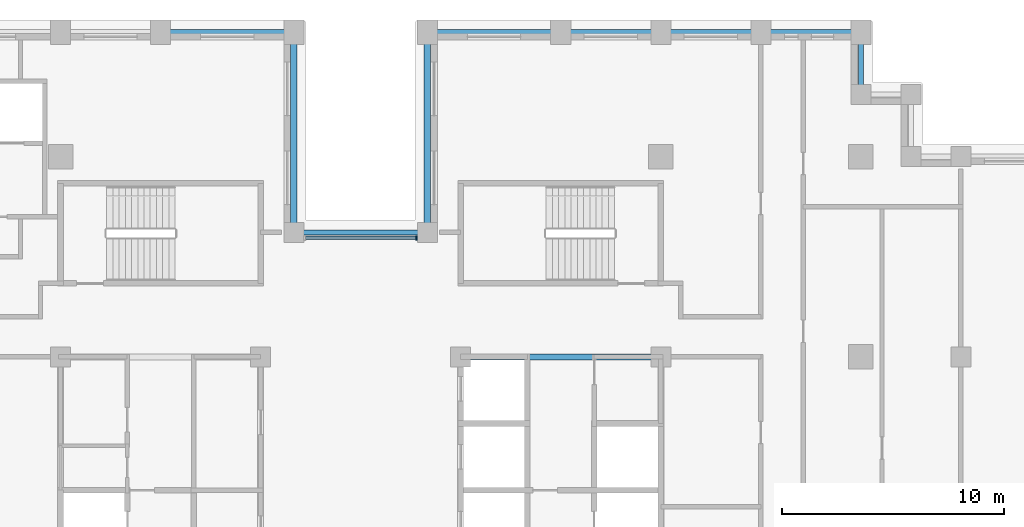
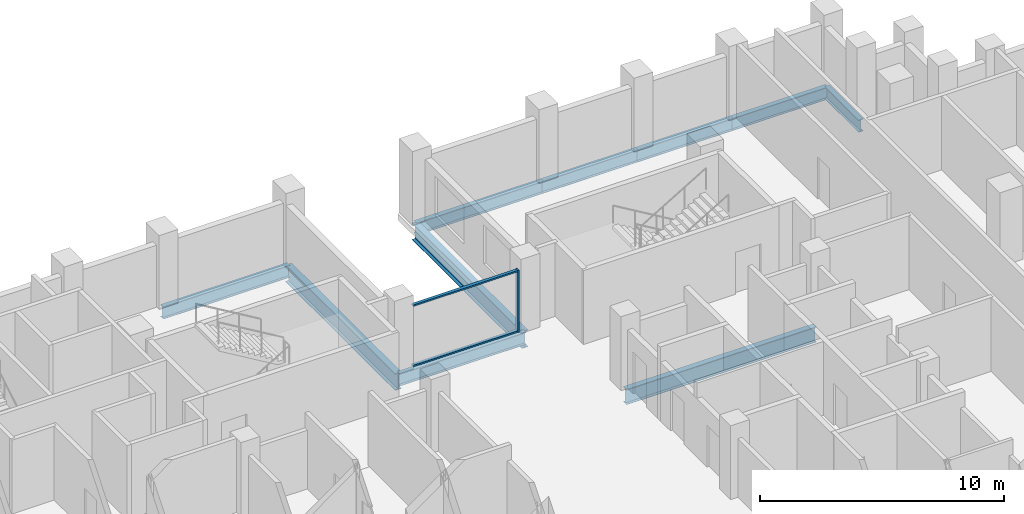
# One storey, part 4 of 16: 10 beams, 3 members, 1 element without a shape of its own.
"""IFC4 building model written with IfcOpenShell, lengths in metres."""

from ifc_helpers import new_model, si_unit, direction, frame, origin, origin_2d, place, context, subcontext, project, spatial, rectangle, i_section, extrude, material, layer, layer_set, material_profile, profile_set, type_object, element, aggregate, save


model = new_model("IFC4")

# Units and contexts
model_context = context("Model", 3, precision=1e-05, world=origin(), true_north=direction((0.0, 1.0)))
body_context = subcontext(model_context, "Body", "Model", "MODEL_VIEW")
ifc_project = project(units=[si_unit("LENGTHUNIT", "METRE"), si_unit("AREAUNIT", "SQUARE_METRE"), si_unit("VOLUMEUNIT", "CUBIC_METRE"), si_unit("PLANEANGLEUNIT", "RADIAN"), si_unit("MASSUNIT", "GRAM", prefix="KILO")], contexts=[model_context])

# Site, building, storey
site_placement = place(None, origin())
site = spatial("IfcSite", under=ifc_project, at=site_placement, CompositionType="ELEMENT")
building_placement = place(site_placement, origin())
building = spatial("IfcBuilding", under=site, at=building_placement, Name="Corbelhall Arena Tower", CompositionType="ELEMENT")
storey_placement = place(building_placement, frame((0.0, 0.0, 154.0)))
storey = spatial("IfcBuildingStorey", under=building, at=storey_placement, Name="L30", CompositionType="ELEMENT", Elevation=154.0)

# Curtain wall, members
ifc_material_1 = material(Name="Aluminium black anodised", Category="aluminium")
ifc_layer = layer(ifc_material_1, 0.199951171875)
ifc_layer_set = layer_set([ifc_layer], Name="EV-CW1 Slot back wall")
curtain_wall_type = type_object("IfcCurtainWallType", Name="EV-CW1 Slot back wall", PredefinedType="NOTDEFINED", material=ifc_layer_set)
curtain_wall_placement = place(storey_placement, origin())
curtain_wall = element("IfcCurtainWall", 1, at=curtain_wall_placement, inside=storey, type_object=curtain_wall_type, Name="Curtain wall CW1", PredefinedType="NOTDEFINED")
ifc_material_profile_1 = material_profile(ifc_material_1, rectangle(XDim=0.199951171875, YDim=0.074951171875, at=origin_2d()))
ifc_profile_set_1 = profile_set([ifc_material_profile_1], Name="Aluminium black anodised")
member_type_1 = type_object("IfcMemberType", Name="EV-CW1-MULLION", PredefinedType="MULLION", material=ifc_profile_set_1)
member_1_placement = place(storey_placement, frame((2.512451171875, 14.35009765625, 0.0), z_axis=(0.0, 0.0, 1.0), x_axis=(0.0, -1.0, 0.0)))
member_1 = element("IfcMember", 2, at=member_1_placement, type_object=member_type_1, Name="CW1 mullion 1", PredefinedType="MULLION", context=body_context, shape_type="SweptSolid", body=[
    extrude(rectangle(XDim=0.199951171875, YDim=0.074951171875, at=origin_2d()), origin(), (0.0, 0.0, 1.0), 3.10009765625),
])
ifc_material_profile_2 = material_profile(ifc_material_1, rectangle(XDim=0.14990234375, YDim=0.074951171875, at=origin_2d()))
ifc_profile_set_2 = profile_set([ifc_material_profile_2], Name="Aluminium black anodised")
member_type_2 = type_object("IfcMemberType", Name="EV-CW1-TRANSOM", PredefinedType="USERDEFINED", material=ifc_profile_set_2)
member_2_placement = place(storey_placement, frame((2.47509765625, 14.35009765625, 0.03759765625), z_axis=(-1.0, 0.0, 0.0), x_axis=(0.0, -1.0, 0.0)))
member_2 = element("IfcMember", 3, at=member_2_placement, type_object=member_type_2, Name="CW1 transom 1.1", ObjectType="transom", PredefinedType="USERDEFINED", context=body_context, shape_type="SweptSolid", body=[
    extrude(rectangle(XDim=0.14990234375, YDim=0.074951171875, at=origin_2d()), origin(), (0.0, 0.0, 1.0), 4.9501953125),
])
member_3_placement = place(storey_placement, frame((2.47509765625, 14.35009765625, 3.0625), z_axis=(-1.0, 0.0, 0.0), x_axis=(0.0, -1.0, 0.0)))
member_3 = element("IfcMember", 4, at=member_3_placement, type_object=member_type_2, Name="CW1 transom 1.2", ObjectType="transom", PredefinedType="USERDEFINED", context=body_context, shape_type="SweptSolid", body=[
    extrude(rectangle(XDim=0.14990234375, YDim=0.074951171875, at=origin_2d()), origin(), (0.0, 0.0, 1.0), 4.9501953125),
])
aggregate(curtain_wall, [member_1, member_2, member_3])

# Beams
ifc_material_2 = material(Name="Steel ASTM A992 Gr50", Category="steel")
ifc_material_profile_3 = material_profile(ifc_material_2, i_section(OverallWidth=0.2666015625, OverallDepth=0.761962890625, WebThickness=0.014404296875, FlangeThickness=0.021484375, at=origin_2d()))
ifc_profile_set_3 = profile_set([ifc_material_profile_3], Name="Steel ASTM A992 Gr50")
beam_type_1 = type_object("IfcBeamType", Name="ST-BEAM-W30x116", PredefinedType="BEAM", material=ifc_profile_set_3)
beam_1_placement = place(storey_placement, frame((4.5, 9.0, -0.680908203125), z_axis=(1.0, 0.0, 0.0), x_axis=(0.0, 1.0, 0.0)))
element("IfcBeam", 5, at=beam_1_placement, inside=storey, type_object=beam_type_1, Name="Beam CEE 12", PredefinedType="BEAM", context=body_context, shape_type="SweptSolid", body=[
    extrude(i_section(OverallWidth=0.2666015625, OverallDepth=0.761962890625, WebThickness=0.014404296875, FlangeThickness=0.021484375, at=origin_2d()), origin(), (0.0, 0.0, 1.0), 9.0),
])
ifc_material_profile_4 = material_profile(ifc_material_2, i_section(OverallWidth=0.22900390625, OverallDepth=0.612060546875, WebThickness=0.011962890625, FlangeThickness=0.01953125, at=origin_2d()))
ifc_profile_set_4 = profile_set([ifc_material_profile_4], Name="Steel ASTM A992 Gr50")
beam_type_2 = type_object("IfcBeamType", Name="ST-SPANDREL-W24x84", PredefinedType="SPANDREL", material=ifc_profile_set_4)
beam_2_placement = place(storey_placement, frame((3.0, 23.60009765625, -0.60595703125), z_axis=(1.0, 0.0, 0.0), x_axis=(0.0, 1.0, 0.0)))
element("IfcBeam", 6, at=beam_2_placement, inside=storey, type_object=beam_type_2, Name="Beam SP 17", PredefinedType="SPANDREL", context=body_context, shape_type="SweptSolid", body=[
    extrude(i_section(OverallWidth=0.22900390625, OverallDepth=0.612060546875, WebThickness=0.011962890625, FlangeThickness=0.01953125, at=origin_2d()), origin(), (0.0, 0.0, 1.0), 6.0),
])
for number, where, z_axis, x_axis, name in (
    (7, (9.0, 23.60009765625, -0.60595703125), (1.0, 0.0, 0.0), (0.0, 1.0, 0.0), "Beam SP 18"),
    (8, (13.5, 23.60009765625, -0.60595703125), (1.0, 0.0, 0.0), (0.0, 1.0, 0.0), "Beam SP 19"),
    (9, (18.0, 23.60009765625, -0.60595703125), (1.0, 0.0, 0.0), (0.0, 1.0, 0.0), "Beam SP 20"),
):
    element("IfcBeam", number, at=place(storey_placement, frame(where, z_axis=z_axis, x_axis=x_axis)), inside=storey, type_object=beam_type_2, Name=name, PredefinedType="SPANDREL", context=body_context, shape_type="SweptSolid", body=[
        extrude(i_section(OverallWidth=0.22900390625, OverallDepth=0.612060546875, WebThickness=0.011962890625, FlangeThickness=0.01953125, at=origin_2d()), origin(), (0.0, 0.0, 1.0), 4.5),
    ])
beam_3_placement = place(storey_placement, frame((22.5, 23.60009765625, -0.60595703125), z_axis=(0.0, -1.0, 0.0), x_axis=(1.0, 0.0, 0.0)))
element("IfcBeam", 10, at=beam_3_placement, inside=storey, type_object=beam_type_2, Name="Beam SP 21", PredefinedType="SPANDREL", context=body_context, shape_type="SweptSolid", body=[
    extrude(i_section(OverallWidth=0.22900390625, OverallDepth=0.612060546875, WebThickness=0.011962890625, FlangeThickness=0.01953125, at=origin_2d()), origin(), (0.0, 0.0, 1.0), 2.800048828125),
])
for number, where, z_axis, x_axis, name in (
    (11, (-9.0, 23.60009765625, -0.60595703125), (1.0, 0.0, 0.0), (0.0, 1.0, 0.0), "Beam SP 23"),
    (12, (-3.0, 14.60009765625, -0.60595703125), (1.0, 0.0, 0.0), (0.0, 1.0, 0.0), "Beam SP 40"),
):
    element("IfcBeam", number, at=place(storey_placement, frame(where, z_axis=z_axis, x_axis=x_axis)), inside=storey, type_object=beam_type_2, Name=name, PredefinedType="SPANDREL", context=body_context, shape_type="SweptSolid", body=[
        extrude(i_section(OverallWidth=0.22900390625, OverallDepth=0.612060546875, WebThickness=0.011962890625, FlangeThickness=0.01953125, at=origin_2d()), origin(), (0.0, 0.0, 1.0), 6.0),
    ])
ifc_material_profile_5 = material_profile(ifc_material_2, i_section(OverallWidth=0.2919921875, OverallDepth=0.845703125, WebThickness=0.015380859375, FlangeThickness=0.0244140625, at=origin_2d()))
ifc_profile_set_5 = profile_set([ifc_material_profile_5], Name="Steel ASTM A992 Gr50")
beam_type_3 = type_object("IfcBeamType", Name="ST-SPANDREL-W33x141", PredefinedType="SPANDREL", material=ifc_profile_set_5)
for number, where, z_axis, x_axis, name in (
    (13, (-3.0, 23.60009765625, -0.722900390625), (0.0, -1.0, 0.0), (1.0, 0.0, 0.0), "Beam SP 22"),
    (14, (3.0, 14.60009765625, -0.722900390625), (0.0, 1.0, 0.0), (-1.0, 0.0, 0.0), "Beam SP 39"),
):
    element("IfcBeam", number, at=place(storey_placement, frame(where, z_axis=z_axis, x_axis=x_axis)), inside=storey, type_object=beam_type_3, Name=name, PredefinedType="SPANDREL", context=body_context, shape_type="SweptSolid", body=[
        extrude(i_section(OverallWidth=0.2919921875, OverallDepth=0.845703125, WebThickness=0.015380859375, FlangeThickness=0.0244140625, at=origin_2d()), origin(), (0.0, 0.0, 1.0), 9.0),
    ])

save(model, "model.ifc")
